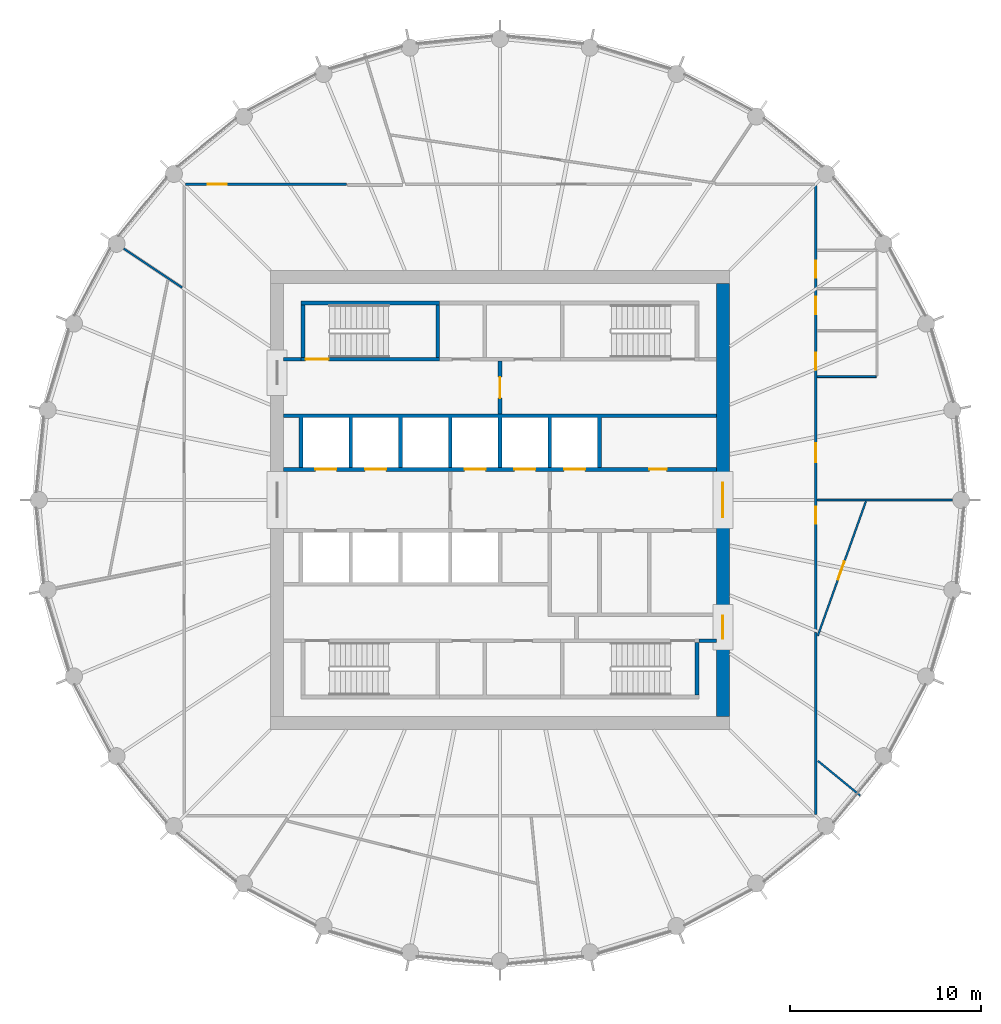
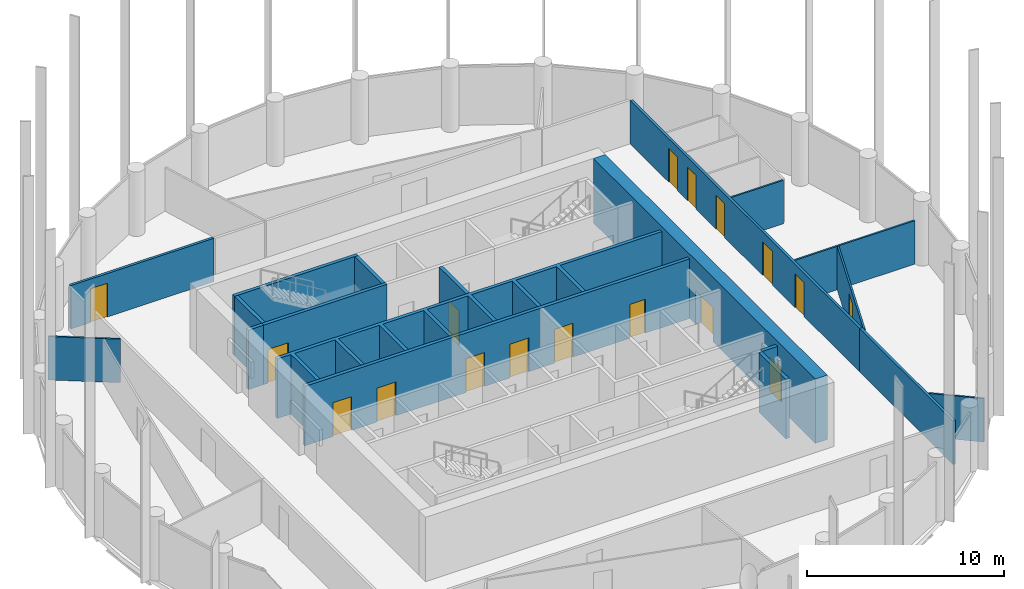
# One storey, part 5 of 7: 19 walls, 17 doors, 17 openings.
"""IFC4 building model written with IfcOpenShell, lengths in metres."""

import ifcopenshell
import ifcopenshell.guid

model = None  # the IFC model being written
_history = None  # IfcOwnerHistory: only IFC2X3 demands one
_inside = {}  # id of a spatial element -> (the spatial element, [elements in it])
_under = {}  # id of a project, library or spatial element -> (it, [spatial elements below it])
_declared = {}  # id of a project -> (the project, [libraries it declares])
_typed = {}  # id of a type object -> (the type object, [elements of that type])
_made_of = {}  # id of a material, layer set ... -> (it, [elements and type objects made of it])


def new_model(schema):
    """Start an empty IFC model of exactly this schema.

    Asked for "IFC4X3", IfcOpenShell would pick the latest addendum, in which some entities
    have other attributes; the version numbers below select the first issue.
    IFC2X3 requires an IfcOwnerHistory on every rooted entity: one is made here for all.
    """
    global model, _history
    if schema == "IFC4X3":
        model = ifcopenshell.file(schema_version=(4, 3, 0, 0))
    else:
        model = ifcopenshell.file(schema=schema)
    _inside.clear()
    _under.clear()
    _declared.clear()
    _typed.clear()
    _made_of.clear()
    _history = None
    if model.schema == "IFC2X3":
        org = make("IfcOrganization", Name="unknown")
        user = make(
            "IfcPersonAndOrganization",
            ThePerson=make("IfcPerson", FamilyName="unknown"),
            TheOrganization=org,
        )
        app = make(
            "IfcApplication",
            ApplicationDeveloper=org,
            Version="unknown",
            ApplicationFullName="unknown",
            ApplicationIdentifier="unknown",
        )
        _history = make(
            "IfcOwnerHistory",
            OwningUser=user,
            OwningApplication=app,
            ChangeAction="ADDED",
            CreationDate=0,
        )
    return model


def make(cls, **values):
    """One entity of the class cls with the attributes given. An attribute that is None is left unset."""
    return model.create_entity(
        cls, **{name: value for name, value in values.items() if value is not None}
    )


def rooted(cls, **values):
    """An entity with a GlobalId (a new one), such as an element, a storey or a relation."""
    return make(cls, GlobalId=ifcopenshell.guid.new(), OwnerHistory=_history, **values)


def si_unit(unit_type, name, prefix=None):
    """IfcSIUnit, for example si_unit("LENGTHUNIT", "METRE", prefix="MILLI")."""
    return make("IfcSIUnit", UnitType=unit_type, Prefix=prefix, Name=name)


def assignment(units):
    """IfcUnitAssignment: the units of a project."""
    return None if units is None else make("IfcUnitAssignment", Units=units)


def point(xyz):
    """IfcCartesianPoint."""
    return None if xyz is None else make("IfcCartesianPoint", Coordinates=xyz)


def direction(xyz):
    """IfcDirection."""
    return None if xyz is None else make("IfcDirection", DirectionRatios=xyz)


def frame(location, z_axis=None, x_axis=None):
    """IfcAxis2Placement3D, a coordinate frame: its origin and axes. An axis left out is left unset."""
    return make(
        "IfcAxis2Placement3D",
        Location=point(location),
        Axis=direction(z_axis),
        RefDirection=direction(x_axis),
    )


def frame_2d(location, x_axis=None):
    """IfcAxis2Placement2D, a coordinate frame in the plane: its origin and x axis."""
    return make(
        "IfcAxis2Placement2D", Location=point(location), RefDirection=direction(x_axis)
    )


def origin():
    """The frame at (0, 0, 0) with its axes left unset."""
    return frame((0.0, 0.0, 0.0))


def place(relative_to, where):
    """IfcLocalPlacement: puts the frame where relative to a parent placement (None: the world)."""
    return make(
        "IfcLocalPlacement", PlacementRelTo=relative_to, RelativePlacement=where
    )


def context(
    kind, dimensions, precision=None, world=None, true_north=None, identifier=None
):
    """IfcGeometricRepresentationContext, for example the 3D "Model" context."""
    return make(
        "IfcGeometricRepresentationContext",
        ContextIdentifier=identifier,
        ContextType=kind,
        CoordinateSpaceDimension=dimensions,
        Precision=precision,
        WorldCoordinateSystem=world,
        TrueNorth=true_north,
    )


def subcontext(parent, identifier, kind, view, scale=None):
    """IfcGeometricRepresentationSubContext, for example "Body" below "Model"."""
    return make(
        "IfcGeometricRepresentationSubContext",
        ContextIdentifier=identifier,
        ContextType=kind,
        ParentContext=parent,
        TargetScale=scale,
        TargetView=view,
    )


def project(units=None, contexts=None):
    """IfcProject with its units and contexts."""
    return rooted(
        "IfcProject",
        Name="project",
        RepresentationContexts=contexts,
        UnitsInContext=assignment(units),
    )


def spatial(cls, under=None, at=None, **own):
    """A site, building, storey or space (cls), placed at a placement, below another one or the project."""
    s = rooted(cls, ObjectPlacement=at, **own)
    if under is not None:
        _under.setdefault(under.id(), (under, []))[1].append(s)
    return s


def polyline(points):
    """IfcPolyline through the points."""
    return make("IfcPolyline", Points=[point(p) for p in points])


def profile(cls, at=None, kind="AREA", **sizes):
    """A parametric profile (cls). Its sizes go by their IFC names, for example OverallWidth=200.0."""
    return make(cls, ProfileType=kind, Position=at, **sizes)


def rectangle(**sizes):
    """IfcRectangleProfileDef."""
    return profile("IfcRectangleProfileDef", **sizes)


def outline(outer, holes=None, kind="AREA"):
    """IfcArbitraryClosedProfileDef: a profile drawn as a closed curve; with holes, ...WithVoids."""
    if holes is None:
        return make("IfcArbitraryClosedProfileDef", ProfileType=kind, OuterCurve=outer)
    return make(
        "IfcArbitraryProfileDefWithVoids",
        ProfileType=kind,
        OuterCurve=outer,
        InnerCurves=holes,
    )


def extrude(swept, where, along, depth):
    """IfcExtrudedAreaSolid: the profile swept, set in the frame where, extruded along a direction by depth."""
    return make(
        "IfcExtrudedAreaSolid",
        SweptArea=swept,
        Position=where,
        ExtrudedDirection=direction(along),
        Depth=depth,
    )


def shape(context_of_items, identifier, shape_type, items):
    """IfcShapeRepresentation: the items that make up one representation, for example the "Body"."""
    return make(
        "IfcShapeRepresentation",
        ContextOfItems=context_of_items,
        RepresentationIdentifier=identifier,
        RepresentationType=shape_type,
        Items=items,
    )


def material(Name=None, Category=None):
    """IfcMaterial."""
    return make("IfcMaterial", Name=Name, Category=Category)


def layer(
    of_material, thickness, ventilated=None, Name=None, Category=None, Priority=None
):
    """IfcMaterialLayer: one layer of a wall or slab, of a material (None: an air gap)."""
    return make(
        "IfcMaterialLayer",
        Material=of_material,
        LayerThickness=thickness,
        IsVentilated=ventilated,
        Name=Name,
        Category=Category,
        Priority=Priority,
    )


def layer_set(layers, Name=None):
    """IfcMaterialLayerSet."""
    return make("IfcMaterialLayerSet", MaterialLayers=layers, LayerSetName=Name)


def made_of(thing, what):
    """Note that an element or type object is made of a material, layer set ...; save() writes the relation."""
    if what is not None:
        _made_of.setdefault(what.id(), (what, []))[1].append(thing)
    return thing


def type_object(cls, material=None, **own):
    """A type object (cls), such as IfcWallType, which elements share."""
    return made_of(rooted(cls, **own), material)


def element(
    cls,
    number,
    at=None,
    inside=None,
    cuts=None,
    type_object=None,
    material=None,
    context=None,
    identifier="Body",
    shape_type=None,
    held_by="IfcProductDefinitionShape",
    body=None,
    shapes=None,
    **own,
):
    """One element of the class cls, such as IfcWall. Its Tag is "e" and its number.

    at: its placement. inside: the storey or other place that contains it. cuts: it is an
    opening in that element (IfcRelVoidsElement). A single representation is given by context,
    identifier, shape_type and body (its items); several are given by shapes. held_by: the class
    of the entity that holds the representations. save() writes the other relations.
    """
    e = rooted(cls, Tag="e%d" % number, ObjectPlacement=at, **own)
    if body is not None:
        shapes = [shape(context, identifier, shape_type, body)]
    if shapes is not None:
        e.Representation = make(held_by, Representations=shapes)
    if inside is not None:
        _inside.setdefault(inside.id(), (inside, []))[1].append(e)
    if cuts is not None:
        rooted(
            "IfcRelVoidsElement", RelatingBuildingElement=cuts, RelatedOpeningElement=e
        )
    if type_object is not None:
        _typed.setdefault(type_object.id(), (type_object, []))[1].append(e)
    return made_of(e, material)


def fill(opening, filler):
    """IfcRelFillsElement: the door or window that sits in an opening."""
    return rooted(
        "IfcRelFillsElement",
        RelatingOpeningElement=opening,
        RelatedBuildingElement=filler,
    )


def aggregate(whole, parts):
    """IfcRelAggregates: a whole, such as a stair, and the parts it consists of."""
    return rooted("IfcRelAggregates", RelatingObject=whole, RelatedObjects=parts)


def save(model, path):
    """Write the relations noted so far, then the file.

    IfcRelAggregates (storeys below a building ...), IfcRelContainedInSpatialStructure (elements
    in a storey), IfcRelDefinesByType, IfcRelAssociatesMaterial and IfcRelDeclares: one each for
    every whole, place, type object, material and project.
    """
    for whole, parts in _under.values():
        aggregate(whole, parts)
    for where, things in _inside.values():
        rooted(
            "IfcRelContainedInSpatialStructure",
            RelatedElements=things,
            RelatingStructure=where,
        )
    for kind, things in _typed.values():
        rooted("IfcRelDefinesByType", RelatedObjects=things, RelatingType=kind)
    for what, things in _made_of.values():
        rooted("IfcRelAssociatesMaterial", RelatedObjects=things, RelatingMaterial=what)
    for by, libraries in _declared.values():
        rooted("IfcRelDeclares", RelatingContext=by, RelatedDefinitions=libraries)
    model.write(path)


model = new_model("IFC4")

# Units and contexts
model_context = context("Model", 3, precision=1e-05, world=origin(), true_north=direction((0.0, 1.0)))
body_context = subcontext(model_context, "Body", "Model", "MODEL_VIEW")
ifc_project = project(units=[si_unit("LENGTHUNIT", "METRE"), si_unit("AREAUNIT", "SQUARE_METRE"), si_unit("VOLUMEUNIT", "CUBIC_METRE"), si_unit("PLANEANGLEUNIT", "RADIAN"), si_unit("MASSUNIT", "GRAM", prefix="KILO")], contexts=[model_context])

# Site, building, storey
site_placement = place(None, origin())
site = spatial("IfcSite", under=ifc_project, at=site_placement, CompositionType="ELEMENT")
building_placement = place(site_placement, origin())
building = spatial("IfcBuilding", under=site, at=building_placement, Name="Corvane Civic Tower", CompositionType="ELEMENT")
storey_placement = place(building_placement, frame((0.0, 0.0, 295.0)))
storey = spatial("IfcBuildingStorey", under=building, at=storey_placement, Name="L70", CompositionType="ELEMENT", Elevation=295.0)

# Wall, openings, doors
ifc_material_1 = material(Name="Concrete C40/50", Category="concrete")
ifc_layer_1 = layer(ifc_material_1, 0.699951171875)
ifc_layer_set_1 = layer_set([ifc_layer_1], Name="Concrete C40/50")
wall_type_1 = type_object("IfcWallType", Name="CORE WALL 700 C40/50", PredefinedType="SHEAR", material=ifc_layer_set_1)
wall_1_placement = place(storey_placement, frame((11.64990234375, -11.300048828125, 0.0), z_axis=(0.0, 0.0, 1.0), x_axis=(0.0, 1.0, 0.0)))
wall_1 = element("IfcWall", 1, at=wall_1_placement, inside=storey, type_object=wall_type_1, Name="W-L70-core-E", PredefinedType="SHEAR", context=body_context, shape_type="SweptSolid", body=[
    extrude(rectangle(XDim=22.60009765625, YDim=0.699951171875, at=frame_2d((11.300048828125, 0.0))), origin(), (0.0, 0.0, 1.0), 4.0),
])
opening_1_placement = place(wall_1_placement, frame((10.39990234375, 0.0, 0.0)))
opening_1 = element("IfcOpeningElement", 2, at=opening_1_placement, cuts=wall_1, Name="Opening L70.C18", PredefinedType="OPENING", context=body_context, shape_type="SweptSolid", body=[
    extrude(rectangle(XDim=1.800048828125, YDim=2.10009765625, at=frame_2d((0.89990234375, 1.050048828125))), frame((0.0, 0.35986328125, 0.0), z_axis=(0.0, -1.0, 0.0), x_axis=(1.0, 0.0, 0.0)), (0.0, 0.0, 1.0), 0.719970703125),
])
opening_2_placement = place(wall_1_placement, frame((4.050048828125, 0.0, 0.0)))
opening_2 = element("IfcOpeningElement", 3, at=opening_2_placement, cuts=wall_1, Name="Opening L70.C20", PredefinedType="OPENING", context=body_context, shape_type="SweptSolid", body=[
    extrude(rectangle(XDim=1.199951171875, YDim=2.10009765625, at=frame_2d((0.60009765625, 1.050048828125))), frame((0.0, 0.35986328125, 0.0), z_axis=(0.0, -1.0, 0.0), x_axis=(1.0, 0.0, 0.0)), (0.0, 0.0, 1.0), 0.719970703125),
])
ifc_material_2 = material(Name="Steel fire door leaf", Category="steel")
door_type_1 = type_object("IfcDoorType", Name="CR-DOOR-CORE-1800", OperationType="DOUBLE_DOOR_SINGLE_SWING", PredefinedType="DOOR", material=ifc_material_2)
door_1_placement = place(opening_1_placement, origin())
door_1 = element("IfcDoor", 4, at=door_1_placement, inside=storey, type_object=door_type_1, Name="L70 door", OperationType="DOUBLE_DOOR_SINGLE_SWING", OverallHeight=2.10009765625, OverallWidth=1.800048828125, PredefinedType="DOOR", context=body_context, shape_type="SweptSolid", body=[
    extrude(rectangle(XDim=1.800048828125, YDim=2.10009765625, at=frame_2d((0.89990234375, 1.050048828125))), frame((0.0, 0.02490234375, 0.0), z_axis=(0.0, -1.0, 0.0), x_axis=(1.0, 0.0, 0.0)), (0.0, 0.0, 1.0), 0.050048828125),
])
fill(opening_1, door_1)
door_2_placement = place(opening_2_placement, origin())
door_2 = element("IfcDoor", 5, at=door_2_placement, inside=storey, type_object=door_type_1, Name="L70 door", OperationType="DOUBLE_DOOR_SINGLE_SWING", OverallHeight=2.10009765625, OverallWidth=1.199951171875, PredefinedType="DOOR", context=body_context, shape_type="SweptSolid", body=[
    extrude(rectangle(XDim=1.199951171875, YDim=2.10009765625, at=frame_2d((0.60009765625, 1.050048828125))), frame((0.0, 0.02490234375, 0.0), z_axis=(0.0, -1.0, 0.0), x_axis=(1.0, 0.0, 0.0)), (0.0, 0.0, 1.0), 0.050048828125),
])
fill(opening_2, door_2)

ifc_material_3 = material(Name="Concrete C30/37", Category="concrete")
ifc_layer_2 = layer(ifc_material_3, 0.199951171875)
ifc_layer_set_2 = layer_set([ifc_layer_2], Name="Concrete C30/37")
wall_type_2 = type_object("IfcWallType", Name="CR-WALL-200", PredefinedType="PARTITIONING", material=ifc_layer_set_2)
wall_2_placement = place(storey_placement, frame((-11.300048828125, 1.60009765625, 0.0), z_axis=(0.0, 0.0, 1.0), x_axis=(1.0, 0.0, 0.0)))
wall_2 = element("IfcWall", 6, at=wall_2_placement, inside=storey, type_object=wall_type_2, Name="L70 lift shaft wall", PredefinedType="PARTITIONING", context=body_context, shape_type="SweptSolid", body=[
    extrude(rectangle(XDim=22.60009765625, YDim=0.199951171875, at=frame_2d((11.300048828125, 0.0))), origin(), (0.0, 0.0, 1.0), 3.699951171875),
])
opening_3_placement = place(wall_2_placement, frame((1.64990234375, 0.0, 0.0)))
opening_3 = element("IfcOpeningElement", 7, at=opening_3_placement, cuts=wall_2, Name="Opening LD", PredefinedType="OPENING", context=body_context, shape_type="SweptSolid", body=[
    extrude(rectangle(XDim=1.10009765625, YDim=2.10009765625, at=frame_2d((0.550048828125, 1.050048828125))), frame((0.0, 0.10986328125, 0.0), z_axis=(0.0, -1.0, 0.0), x_axis=(1.0, 0.0, 0.0)), (0.0, 0.0, 1.0), 0.219970703125),
])
opening_4_placement = place(wall_2_placement, frame((4.25, 0.0, 0.0)))
opening_4 = element("IfcOpeningElement", 8, at=opening_4_placement, cuts=wall_2, Name="Opening LD", PredefinedType="OPENING", context=body_context, shape_type="SweptSolid", body=[
    extrude(rectangle(XDim=1.10009765625, YDim=2.10009765625, at=frame_2d((0.550048828125, 1.050048828125))), frame((0.0, 0.10986328125, 0.0), z_axis=(0.0, -1.0, 0.0), x_axis=(1.0, 0.0, 0.0)), (0.0, 0.0, 1.0), 0.219970703125),
])
opening_5_placement = place(wall_2_placement, frame((9.449951171875, 0.0, 0.0)))
opening_5 = element("IfcOpeningElement", 9, at=opening_5_placement, cuts=wall_2, Name="Opening LD", PredefinedType="OPENING", context=body_context, shape_type="SweptSolid", body=[
    extrude(rectangle(XDim=1.10009765625, YDim=2.10009765625, at=frame_2d((0.550048828125, 1.050048828125))), frame((0.0, 0.10986328125, 0.0), z_axis=(0.0, -1.0, 0.0), x_axis=(1.0, 0.0, 0.0)), (0.0, 0.0, 1.0), 0.219970703125),
])
opening_6_placement = place(wall_2_placement, frame((12.050048828125, 0.0, 0.0)))
opening_6 = element("IfcOpeningElement", 10, at=opening_6_placement, cuts=wall_2, Name="Opening LD", PredefinedType="OPENING", context=body_context, shape_type="SweptSolid", body=[
    extrude(rectangle(XDim=1.10009765625, YDim=2.10009765625, at=frame_2d((0.550048828125, 1.050048828125))), frame((0.0, 0.10986328125, 0.0), z_axis=(0.0, -1.0, 0.0), x_axis=(1.0, 0.0, 0.0)), (0.0, 0.0, 1.0), 0.219970703125),
])
opening_7_placement = place(wall_2_placement, frame((14.64990234375, 0.0, 0.0)))
opening_7 = element("IfcOpeningElement", 11, at=opening_7_placement, cuts=wall_2, Name="Opening LD", PredefinedType="OPENING", context=body_context, shape_type="SweptSolid", body=[
    extrude(rectangle(XDim=1.10009765625, YDim=2.10009765625, at=frame_2d((0.550048828125, 1.050048828125))), frame((0.0, 0.10986328125, 0.0), z_axis=(0.0, -1.0, 0.0), x_axis=(1.0, 0.0, 0.0)), (0.0, 0.0, 1.0), 0.219970703125),
])
opening_8_placement = place(wall_2_placement, frame((19.10009765625, 0.0, 0.0)))
opening_8 = element("IfcOpeningElement", 12, at=opening_8_placement, cuts=wall_2, Name="Opening L70.C01", PredefinedType="OPENING", context=body_context, shape_type="SweptSolid", body=[
    extrude(rectangle(XDim=0.89990234375, YDim=2.10009765625, at=frame_2d((0.449951171875, 1.050048828125))), frame((0.0, 0.10986328125, 0.0), z_axis=(0.0, -1.0, 0.0), x_axis=(1.0, 0.0, 0.0)), (0.0, 0.0, 1.0), 0.219970703125),
])
ifc_material_4 = material(Name="Steel fire door leaf", Category="steel")
door_type_2 = type_object("IfcDoorType", Name="CR-DOOR-900", OperationType="SINGLE_SWING_LEFT", PredefinedType="DOOR", material=ifc_material_4)
door_3_placement = place(opening_8_placement, origin())
door_3 = element("IfcDoor", 13, at=door_3_placement, inside=storey, type_object=door_type_2, Name="L70 door", OperationType="SINGLE_SWING_LEFT", OverallHeight=2.10009765625, OverallWidth=0.89990234375, PredefinedType="DOOR", context=body_context, shape_type="SweptSolid", body=[
    extrude(rectangle(XDim=0.89990234375, YDim=2.10009765625, at=frame_2d((0.449951171875, 1.050048828125))), frame((0.0, 0.02490234375, 0.0), z_axis=(0.0, -1.0, 0.0), x_axis=(1.0, 0.0, 0.0)), (0.0, 0.0, 1.0), 0.050048828125),
])
fill(opening_8, door_3)
ifc_material_5 = material(Name="Stainless steel 316 door leaves", Category="steel")
door_type_3 = type_object("IfcDoorType", Name="LD", OperationType="DOUBLE_DOOR_SLIDING", PredefinedType="DOOR", material=ifc_material_5)
door_4_placement = place(opening_3_placement, origin())
door_4 = element("IfcDoor", 14, at=door_4_placement, inside=storey, type_object=door_type_3, Name="L70 landing door", OperationType="DOUBLE_DOOR_SLIDING", OverallHeight=2.10009765625, OverallWidth=1.10009765625, PredefinedType="DOOR", context=body_context, shape_type="SweptSolid", body=[
    extrude(rectangle(XDim=1.10009765625, YDim=2.10009765625, at=frame_2d((0.550048828125, 1.050048828125))), frame((0.0, 0.02490234375, 0.0), z_axis=(0.0, -1.0, 0.0), x_axis=(1.0, 0.0, 0.0)), (0.0, 0.0, 1.0), 0.050048828125),
])
fill(opening_3, door_4)
door_5_placement = place(opening_4_placement, origin())
door_5 = element("IfcDoor", 15, at=door_5_placement, inside=storey, type_object=door_type_3, Name="L70 landing door", OperationType="DOUBLE_DOOR_SLIDING", OverallHeight=2.10009765625, OverallWidth=1.10009765625, PredefinedType="DOOR", context=body_context, shape_type="SweptSolid", body=[
    extrude(rectangle(XDim=1.10009765625, YDim=2.10009765625, at=frame_2d((0.550048828125, 1.050048828125))), frame((0.0, 0.02490234375, 0.0), z_axis=(0.0, -1.0, 0.0), x_axis=(1.0, 0.0, 0.0)), (0.0, 0.0, 1.0), 0.050048828125),
])
fill(opening_4, door_5)
door_6_placement = place(opening_5_placement, origin())
door_6 = element("IfcDoor", 16, at=door_6_placement, inside=storey, type_object=door_type_3, Name="L70 landing door", OperationType="DOUBLE_DOOR_SLIDING", OverallHeight=2.10009765625, OverallWidth=1.10009765625, PredefinedType="DOOR", context=body_context, shape_type="SweptSolid", body=[
    extrude(rectangle(XDim=1.10009765625, YDim=2.10009765625, at=frame_2d((0.550048828125, 1.050048828125))), frame((0.0, 0.02490234375, 0.0), z_axis=(0.0, -1.0, 0.0), x_axis=(1.0, 0.0, 0.0)), (0.0, 0.0, 1.0), 0.050048828125),
])
fill(opening_5, door_6)
door_7_placement = place(opening_6_placement, origin())
door_7 = element("IfcDoor", 17, at=door_7_placement, inside=storey, type_object=door_type_3, Name="L70 landing door", OperationType="DOUBLE_DOOR_SLIDING", OverallHeight=2.10009765625, OverallWidth=1.10009765625, PredefinedType="DOOR", context=body_context, shape_type="SweptSolid", body=[
    extrude(rectangle(XDim=1.10009765625, YDim=2.10009765625, at=frame_2d((0.550048828125, 1.050048828125))), frame((0.0, 0.02490234375, 0.0), z_axis=(0.0, -1.0, 0.0), x_axis=(1.0, 0.0, 0.0)), (0.0, 0.0, 1.0), 0.050048828125),
])
fill(opening_6, door_7)
door_8_placement = place(opening_7_placement, origin())
door_8 = element("IfcDoor", 18, at=door_8_placement, inside=storey, type_object=door_type_3, Name="L70 landing door", OperationType="DOUBLE_DOOR_SLIDING", OverallHeight=2.10009765625, OverallWidth=1.10009765625, PredefinedType="DOOR", context=body_context, shape_type="SweptSolid", body=[
    extrude(rectangle(XDim=1.10009765625, YDim=2.10009765625, at=frame_2d((0.550048828125, 1.050048828125))), frame((0.0, 0.02490234375, 0.0), z_axis=(0.0, -1.0, 0.0), x_axis=(1.0, 0.0, 0.0)), (0.0, 0.0, 1.0), 0.050048828125),
])
fill(opening_7, door_8)

# Wall, opening, door
wall_3_placement = place(storey_placement, frame((0.0, 4.5, 0.0), z_axis=(0.0, 0.0, 1.0), x_axis=(0.0, 1.0, 0.0)))
wall_3 = element("IfcWall", 19, at=wall_3_placement, inside=storey, type_object=wall_type_2, Name="L70 core partition wall", PredefinedType="PARTITIONING", context=body_context, shape_type="SweptSolid", body=[
    extrude(rectangle(XDim=2.75, YDim=0.199951171875, at=frame_2d((1.375, 0.0))), origin(), (0.0, 0.0, 1.0), 3.699951171875),
])
opening_9_placement = place(wall_3_placement, frame((0.824951171875, 0.0, 0.0)))
opening_9 = element("IfcOpeningElement", 20, at=opening_9_placement, cuts=wall_3, Name="Opening L70.C16", PredefinedType="OPENING", context=body_context, shape_type="SweptSolid", body=[
    extrude(rectangle(XDim=1.10009765625, YDim=2.10009765625, at=frame_2d((0.550048828125, 1.050048828125))), frame((0.0, 0.10986328125, 0.0), z_axis=(0.0, -1.0, 0.0), x_axis=(1.0, 0.0, 0.0)), (0.0, 0.0, 1.0), 0.219970703125),
])
ifc_material_6 = material(Name="Steel fire door leaf", Category="steel")
door_type_4 = type_object("IfcDoorType", Name="CR-DOOR-FFL-1100", OperationType="SINGLE_SWING_LEFT", PredefinedType="DOOR", material=ifc_material_6)
door_9_placement = place(opening_9_placement, origin())
door_9 = element("IfcDoor", 21, at=door_9_placement, inside=storey, type_object=door_type_4, Name="L70 lobby door", OperationType="SINGLE_SWING_LEFT", OverallHeight=2.10009765625, OverallWidth=1.10009765625, PredefinedType="DOOR", context=body_context, shape_type="SweptSolid", body=[
    extrude(rectangle(XDim=1.10009765625, YDim=2.10009765625, at=frame_2d((0.550048828125, 1.050048828125))), frame((0.0, 0.02490234375, 0.0), z_axis=(0.0, -1.0, 0.0), x_axis=(1.0, 0.0, 0.0)), (0.0, 0.0, 1.0), 0.050048828125),
])
fill(opening_9, door_9)

# Walls
wall_4_placement = place(storey_placement, origin())
element("IfcWall", 22, at=wall_4_placement, inside=storey, type_object=wall_type_2, Name="L70 core partition wall", PredefinedType="PARTITIONING", context=body_context, shape_type="SweptSolid", body=[
    extrude(outline(polyline([(-10.39990234375, 7.25), (-11.300048828125, 7.25), (-11.300048828125, 7.449951171875), (-10.39990234375, 7.449951171875), (-10.39990234375, 7.25)])), origin(), (0.0, 0.0, 1.0), 3.699951171875),
])
wall_5_placement = place(storey_placement, origin())
element("IfcWall", 23, at=wall_5_placement, inside=storey, type_object=wall_type_2, Name="L70 core partition wall", PredefinedType="PARTITIONING", context=body_context, shape_type="SweptSolid", body=[
    extrude(outline(polyline([(0.10009765625, 1.699951171875), (-0.10009765625, 1.699951171875), (-0.10009765625, 4.300048828125), (-2.5, 4.300048828125), (-2.5, 1.699951171875), (-2.699951171875, 1.699951171875), (-2.699951171875, 4.300048828125), (-5.10009765625, 4.300048828125), (-5.10009765625, 1.699951171875), (-5.300048828125, 1.699951171875), (-5.300048828125, 4.300048828125), (-7.699951171875, 4.300048828125), (-7.699951171875, 1.699951171875), (-7.89990234375, 1.699951171875), (-7.89990234375, 4.300048828125), (-10.300048828125, 4.300048828125), (-10.300048828125, 1.699951171875), (-10.5, 1.699951171875), (-10.5, 4.300048828125), (-11.300048828125, 4.300048828125), (-11.300048828125, 4.5), (11.300048828125, 4.5), (11.300048828125, 4.300048828125), (5.300048828125, 4.300048828125), (5.300048828125, 1.699951171875), (5.10009765625, 1.699951171875), (5.10009765625, 4.300048828125), (2.699951171875, 4.300048828125), (2.699951171875, 1.699951171875), (2.5, 1.699951171875), (2.5, 4.300048828125), (0.10009765625, 4.300048828125), (0.10009765625, 1.699951171875)])), origin(), (0.0, 0.0, 1.0), 3.699951171875),
])
wall_6_placement = place(storey_placement, origin())
element("IfcWall", 24, at=wall_6_placement, inside=storey, type_object=wall_type_2, Name="L70 core partition wall", PredefinedType="PARTITIONING", context=body_context, shape_type="SweptSolid", body=[
    extrude(outline(polyline([(11.300048828125, -7.449951171875), (10.39990234375, -7.449951171875), (10.39990234375, -7.25), (11.300048828125, -7.25), (11.300048828125, -7.449951171875)])), origin(), (0.0, 0.0, 1.0), 3.699951171875),
])
ifc_material_7 = material(Name="Plasterboard")
ifc_layer_3 = layer(ifc_material_7, 0.10009765625)
ifc_layer_set_3 = layer_set([ifc_layer_3], Name="Plasterboard")
wall_type_3 = type_object("IfcWallType", Name="Partition 100 plasterboard on studs", PredefinedType="PARTITIONING", material=ifc_layer_set_3)
wall_7_placement = place(storey_placement, frame((16.606689453125, -13.62890625, 0.0), z_axis=(0.0, 0.0, 1.0), x_axis=(0.773057309147, -0.634336185926, 0.0)))
element("IfcWall", 25, at=wall_7_placement, inside=storey, type_object=wall_type_3, Name="Partition L70.007", PredefinedType="PARTITIONING", context=body_context, shape_type="SweptSolid", body=[
    extrude(rectangle(XDim=2.866943359375, YDim=0.10009765625, at=frame_2d((1.43359375, 0.0))), origin(), (0.0, 0.0, 1.0), 2.699951171875),
])

# Wall, opening, door
wall_8_placement = place(storey_placement, frame((16.605224609375, -7.09521484375, 0.0), z_axis=(0.0, 0.0, 1.0), x_axis=(0.336904028369, 0.941538993175, 0.0)))
wall_8 = element("IfcWall", 26, at=wall_8_placement, inside=storey, type_object=wall_type_3, Name="Partition L70.008", PredefinedType="PARTITIONING", context=body_context, shape_type="SweptSolid", body=[
    extrude(rectangle(XDim=7.464599609375, YDim=0.10009765625, at=frame_2d((3.732421875, 0.0))), origin(), (0.0, 0.0, 1.0), 2.699951171875),
])
opening_10_placement = place(wall_8_placement, frame((3.12890625, 0.0, 0.0)))
opening_10 = element("IfcOpeningElement", 27, at=opening_10_placement, cuts=wall_8, Name="Opening L70.005", PredefinedType="OPENING", context=body_context, shape_type="SweptSolid", body=[
    extrude(rectangle(XDim=1.0, YDim=2.10009765625, at=frame_2d((0.5, 1.050048828125))), frame((0.0, 0.06005859375, 0.0), z_axis=(0.0, -1.0, 0.0), x_axis=(1.0, 0.0, 0.0)), (0.0, 0.0, 1.0), 0.1201171875),
])
ifc_material_8 = material(Name="Timber", Category="wood")
door_type_5 = type_object("IfcDoorType", Name="Single door 1000", OperationType="NOTDEFINED", PredefinedType="DOOR", material=ifc_material_8)
door_10_placement = place(opening_10_placement, frame((1.0, 0.0, 0.0), z_axis=(0.0, 0.0, 1.0), x_axis=(-1.0, 0.0, 0.0)))
door_10 = element("IfcDoor", 28, at=door_10_placement, inside=storey, type_object=door_type_5, Name="Door L70.005", OperationType="SINGLE_SWING_LEFT", OverallHeight=2.10009765625, OverallWidth=1.0, PredefinedType="DOOR", context=body_context, shape_type="SweptSolid", body=[
    extrude(rectangle(XDim=1.0, YDim=2.10009765625, at=frame_2d((0.5, 1.050048828125))), frame((0.0, 0.02490234375, 0.0), z_axis=(0.0, -1.0, 0.0), x_axis=(1.0, 0.0, 0.0)), (0.0, 0.0, 1.0), 0.050048828125),
])
fill(opening_10, door_10)

# Walls
wall_9_placement = place(storey_placement, frame((16.574951171875, 0.0, 0.0), z_axis=(0.0, 0.0, 1.0), x_axis=(1.0, 0.0, 0.0)))
element("IfcWall", 29, at=wall_9_placement, inside=storey, type_object=wall_type_3, Name="Partition L70.013", PredefinedType="PARTITIONING", context=body_context, shape_type="SweptSolid", body=[
    extrude(rectangle(XDim=7.065185546875, YDim=0.10009765625, at=frame_2d((3.53271484375, 0.0))), origin(), (0.0, 0.0, 1.0), 2.699951171875),
])
wall_10_placement = place(storey_placement, frame((16.574951171875, 6.445068359375, 0.0), z_axis=(0.0, 0.0, 1.0), x_axis=(1.0, 0.0, 0.0)))
element("IfcWall", 30, at=wall_10_placement, inside=storey, type_object=wall_type_3, Name="Partition L70.014", PredefinedType="PARTITIONING", context=body_context, shape_type="SweptSolid", body=[
    extrude(rectangle(XDim=3.074951171875, YDim=0.10009765625, at=frame_2d((1.53759765625, 0.0))), origin(), (0.0, 0.0, 1.0), 2.699951171875),
])
wall_11_placement = place(storey_placement, frame((-19.656005859375, 13.133544921875, 0.0), z_axis=(0.0, 0.0, 1.0), x_axis=(0.831477046095, -0.555559107402, 0.0)))
element("IfcWall", 31, at=wall_11_placement, inside=storey, type_object=wall_type_3, Name="Partition L70.018", PredefinedType="PARTITIONING", context=body_context, shape_type="SweptSolid", body=[
    extrude(rectangle(XDim=3.672119140625, YDim=0.10009765625, at=frame_2d((1.8359375, 0.0))), origin(), (0.0, 0.0, 1.0), 2.699951171875),
])

# Wall, opening, door
ifc_material_9 = material(Name="Concrete C50/60", Category="concrete")
ifc_layer_4 = layer(ifc_material_9, 0.199951171875)
ifc_layer_set_4 = layer_set([ifc_layer_4], Name="Concrete C50/60")
wall_type_4 = type_object("IfcWallType", Name="ST-WALL-200", PredefinedType="SHEAR", material=ifc_layer_set_4)
wall_12_placement = place(storey_placement, frame((-10.39990234375, 7.35009765625, 0.0), z_axis=(0.0, 0.0, 1.0), x_axis=(1.0, 0.0, 0.0)))
wall_12 = element("IfcWall", 32, at=wall_12_placement, inside=storey, type_object=wall_type_4, Name="L70 stair enclosure wall", PredefinedType="SHEAR", context=body_context, shape_type="SweptSolid", body=[
    extrude(rectangle(XDim=7.25, YDim=0.199951171875, at=frame_2d((3.625, 0.0))), origin(), (0.0, 0.0, 1.0), 3.699951171875),
])
opening_11_placement = place(wall_12_placement, frame((0.25, 0.0, 0.0)))
opening_11 = element("IfcOpeningElement", 33, at=opening_11_placement, cuts=wall_12, Name="Opening L70.C11", PredefinedType="OPENING", context=body_context, shape_type="SweptSolid", body=[
    extrude(rectangle(XDim=1.199951171875, YDim=2.10009765625, at=frame_2d((0.60009765625, 1.050048828125))), frame((0.0, 0.10986328125, 0.0), z_axis=(0.0, -1.0, 0.0), x_axis=(1.0, 0.0, 0.0)), (0.0, 0.0, 1.0), 0.219970703125),
])
ifc_material_10 = material(Name="Steel fire door leaf", Category="steel")
door_type_6 = type_object("IfcDoorType", Name="ST-DOOR-1200", OperationType="SINGLE_SWING_RIGHT", PredefinedType="DOOR", material=ifc_material_10)
door_11_placement = place(opening_11_placement, origin())
door_11 = element("IfcDoor", 34, at=door_11_placement, inside=storey, type_object=door_type_6, Name="L70 stair door", OperationType="SINGLE_SWING_RIGHT", OverallHeight=2.10009765625, OverallWidth=1.199951171875, PredefinedType="DOOR", context=body_context, shape_type="SweptSolid", body=[
    extrude(rectangle(XDim=1.199951171875, YDim=2.10009765625, at=frame_2d((0.60009765625, 1.050048828125))), frame((0.0, 0.02490234375, 0.0), z_axis=(0.0, -1.0, 0.0), x_axis=(1.0, 0.0, 0.0)), (0.0, 0.0, 1.0), 0.050048828125),
])
fill(opening_11, door_11)

# Walls
wall_13_placement = place(storey_placement, origin())
element("IfcWall", 35, at=wall_13_placement, inside=storey, type_object=wall_type_4, Name="L70 stair enclosure wall", PredefinedType="SHEAR", context=body_context, shape_type="SweptSolid", body=[
    extrude(outline(polyline([(-3.14990234375, 10.199951171875), (-10.39990234375, 10.199951171875), (-10.39990234375, 10.39990234375), (-3.14990234375, 10.39990234375), (-3.14990234375, 10.199951171875)])), origin(), (0.0, 0.0, 1.0), 3.699951171875),
])
wall_14_placement = place(storey_placement, origin())
element("IfcWall", 36, at=wall_14_placement, inside=storey, type_object=wall_type_4, Name="L70 stair enclosure wall", PredefinedType="SHEAR", context=body_context, shape_type="SweptSolid", body=[
    extrude(outline(polyline([(-3.14990234375, 7.449951171875), (-3.35009765625, 7.449951171875), (-3.35009765625, 10.199951171875), (-3.14990234375, 10.199951171875), (-3.14990234375, 7.449951171875)])), origin(), (0.0, 0.0, 1.0), 3.699951171875),
])
wall_15_placement = place(storey_placement, origin())
element("IfcWall", 37, at=wall_15_placement, inside=storey, type_object=wall_type_4, Name="L70 stair enclosure wall", PredefinedType="SHEAR", context=body_context, shape_type="SweptSolid", body=[
    extrude(outline(polyline([(-10.199951171875, 7.449951171875), (-10.39990234375, 7.449951171875), (-10.39990234375, 10.199951171875), (-10.199951171875, 10.199951171875), (-10.199951171875, 7.449951171875)])), origin(), (0.0, 0.0, 1.0), 3.699951171875),
])
wall_16_placement = place(storey_placement, origin())
element("IfcWall", 38, at=wall_16_placement, inside=storey, type_object=wall_type_4, Name="L70 stair enclosure wall", PredefinedType="SHEAR", context=body_context, shape_type="SweptSolid", body=[
    extrude(outline(polyline([(10.39990234375, -7.449951171875), (10.39990234375, -10.199951171875), (10.199951171875, -10.199951171875), (10.199951171875, -7.449951171875), (10.39990234375, -7.449951171875)])), origin(), (0.0, 0.0, 1.0), 3.699951171875),
])
ifc_material_11 = material(Name="Plasterboard")
ifc_layer_5 = layer(ifc_material_11, 0.14990234375)
ifc_layer_set_5 = layer_set([ifc_layer_5], Name="Plasterboard")
wall_type_5 = type_object("IfcWallType", Name="Tenancy wall 150 EI 60", PredefinedType="PARTITIONING", material=ifc_layer_set_5)
wall_17_placement = place(storey_placement, frame((16.5, -16.425048828125, 0.0), z_axis=(0.0, 0.0, 1.0), x_axis=(0.0, 1.0, 0.0)))
element("IfcWall", 39, at=wall_17_placement, inside=storey, type_object=wall_type_5, Name="Partition L70.006", PredefinedType="PARTITIONING", context=body_context, shape_type="SweptSolid", body=[
    extrude(rectangle(XDim=9.50244140625, YDim=0.14990234375, at=frame_2d((4.751220703125, 0.0))), origin(), (0.0, 0.0, 1.0), 2.699951171875),
])

# Wall, openings, doors
wall_18_placement = place(storey_placement, frame((16.5, -6.922607421875, 0.0), z_axis=(0.0, 0.0, 1.0), x_axis=(0.0, 1.0, 0.0)))
wall_18 = element("IfcWall", 40, at=wall_18_placement, inside=storey, type_object=wall_type_5, Name="Partition L70.009", PredefinedType="PARTITIONING", context=body_context, shape_type="SweptSolid", body=[
    extrude(rectangle(XDim=23.34765625, YDim=0.14990234375, at=frame_2d((11.673828125, 0.0))), origin(), (0.0, 0.0, 1.0), 2.699951171875),
])
opening_12_placement = place(wall_18_placement, frame((8.89111328125, 0.0, 0.0)))
opening_12 = element("IfcOpeningElement", 41, at=opening_12_placement, cuts=wall_18, Name="Opening L70.001", PredefinedType="OPENING", context=body_context, shape_type="SweptSolid", body=[
    extrude(rectangle(XDim=1.0, YDim=2.10009765625, at=frame_2d((0.5, 1.050048828125))), frame((0.0, 0.0849609375, 0.0), z_axis=(0.0, -1.0, 0.0), x_axis=(1.0, 0.0, 0.0)), (0.0, 0.0, 1.0), 0.169921875),
])
opening_13_placement = place(wall_18_placement, frame((13.7255859375, 0.0, 0.0)))
opening_13 = element("IfcOpeningElement", 42, at=opening_13_placement, cuts=wall_18, Name="Opening L70.002", PredefinedType="OPENING", context=body_context, shape_type="SweptSolid", body=[
    extrude(rectangle(XDim=0.89990234375, YDim=2.10009765625, at=frame_2d((0.449951171875, 1.050048828125))), frame((0.0, 0.0849609375, 0.0), z_axis=(0.0, -1.0, 0.0), x_axis=(1.0, 0.0, 0.0)), (0.0, 0.0, 1.0), 0.169921875),
])
opening_14_placement = place(wall_18_placement, frame((16.6357421875, 0.0, 0.0)))
opening_14 = element("IfcOpeningElement", 43, at=opening_14_placement, cuts=wall_18, Name="Opening L70.003", PredefinedType="OPENING", context=body_context, shape_type="SweptSolid", body=[
    extrude(rectangle(XDim=0.89990234375, YDim=2.10009765625, at=frame_2d((0.449951171875, 1.050048828125))), frame((0.0, 0.0849609375, 0.0), z_axis=(0.0, -1.0, 0.0), x_axis=(1.0, 0.0, 0.0)), (0.0, 0.0, 1.0), 0.169921875),
])
opening_15_placement = place(wall_18_placement, frame((18.5341796875, 0.0, 0.0)))
opening_15 = element("IfcOpeningElement", 44, at=opening_15_placement, cuts=wall_18, Name="Opening L70.004", PredefinedType="OPENING", context=body_context, shape_type="SweptSolid", body=[
    extrude(rectangle(XDim=0.89990234375, YDim=2.10009765625, at=frame_2d((0.449951171875, 1.050048828125))), frame((0.0, 0.0849609375, 0.0), z_axis=(0.0, -1.0, 0.0), x_axis=(1.0, 0.0, 0.0)), (0.0, 0.0, 1.0), 0.169921875),
])
opening_16_placement = place(wall_18_placement, frame((5.673828125, 0.0, 0.0)))
opening_16 = element("IfcOpeningElement", 45, at=opening_16_placement, cuts=wall_18, Name="Opening L70.006", PredefinedType="OPENING", context=body_context, shape_type="SweptSolid", body=[
    extrude(rectangle(XDim=0.89990234375, YDim=2.10009765625, at=frame_2d((0.449951171875, 1.050048828125))), frame((0.0, 0.0849609375, 0.0), z_axis=(0.0, -1.0, 0.0), x_axis=(1.0, 0.0, 0.0)), (0.0, 0.0, 1.0), 0.169921875),
])
ifc_material_12 = material(Name="Steel and timber", Category="steel")
door_type_7 = type_object("IfcDoorType", Name="Fire door FD30S 1000", OperationType="NOTDEFINED", PredefinedType="DOOR", material=ifc_material_12)
door_12_placement = place(opening_12_placement, frame((1.0, 0.0, 0.0), z_axis=(0.0, 0.0, 1.0), x_axis=(-1.0, 0.0, 0.0)))
door_12 = element("IfcDoor", 46, at=door_12_placement, inside=storey, type_object=door_type_7, Name="Door L70.001", OperationType="SINGLE_SWING_RIGHT", OverallHeight=2.10009765625, OverallWidth=1.0, PredefinedType="DOOR", context=body_context, shape_type="SweptSolid", body=[
    extrude(rectangle(XDim=1.0, YDim=2.10009765625, at=frame_2d((0.5, 1.050048828125))), frame((0.0, 0.02490234375, 0.0), z_axis=(0.0, -1.0, 0.0), x_axis=(1.0, 0.0, 0.0)), (0.0, 0.0, 1.0), 0.050048828125),
])
fill(opening_12, door_12)
ifc_material_13 = material(Name="Steel and timber", Category="steel")
door_type_8 = type_object("IfcDoorType", Name="Fire door FD30S 900", OperationType="NOTDEFINED", PredefinedType="DOOR", material=ifc_material_13)
door_13_placement = place(opening_13_placement, frame((0.89990234375, 0.0, 0.0), z_axis=(0.0, 0.0, 1.0), x_axis=(-1.0, 0.0, 0.0)))
door_13 = element("IfcDoor", 47, at=door_13_placement, inside=storey, type_object=door_type_8, Name="Door L70.002", OperationType="SINGLE_SWING_LEFT", OverallHeight=2.10009765625, OverallWidth=0.89990234375, PredefinedType="DOOR", context=body_context, shape_type="SweptSolid", body=[
    extrude(rectangle(XDim=0.89990234375, YDim=2.10009765625, at=frame_2d((0.449951171875, 1.050048828125))), frame((0.0, 0.02490234375, 0.0), z_axis=(0.0, -1.0, 0.0), x_axis=(1.0, 0.0, 0.0)), (0.0, 0.0, 1.0), 0.050048828125),
])
fill(opening_13, door_13)
door_14_placement = place(opening_14_placement, frame((0.89990234375, 0.0, 0.0), z_axis=(0.0, 0.0, 1.0), x_axis=(-1.0, 0.0, 0.0)))
door_14 = element("IfcDoor", 48, at=door_14_placement, inside=storey, type_object=door_type_8, Name="Door L70.003", OperationType="SINGLE_SWING_LEFT", OverallHeight=2.10009765625, OverallWidth=0.89990234375, PredefinedType="DOOR", context=body_context, shape_type="SweptSolid", body=[
    extrude(rectangle(XDim=0.89990234375, YDim=2.10009765625, at=frame_2d((0.449951171875, 1.050048828125))), frame((0.0, 0.02490234375, 0.0), z_axis=(0.0, -1.0, 0.0), x_axis=(1.0, 0.0, 0.0)), (0.0, 0.0, 1.0), 0.050048828125),
])
fill(opening_14, door_14)
door_15_placement = place(opening_15_placement, frame((0.89990234375, 0.0, 0.0), z_axis=(0.0, 0.0, 1.0), x_axis=(-1.0, 0.0, 0.0)))
door_15 = element("IfcDoor", 49, at=door_15_placement, inside=storey, type_object=door_type_8, Name="Door L70.004", OperationType="SINGLE_SWING_RIGHT", OverallHeight=2.10009765625, OverallWidth=0.89990234375, PredefinedType="DOOR", context=body_context, shape_type="SweptSolid", body=[
    extrude(rectangle(XDim=0.89990234375, YDim=2.10009765625, at=frame_2d((0.449951171875, 1.050048828125))), frame((0.0, 0.02490234375, 0.0), z_axis=(0.0, -1.0, 0.0), x_axis=(1.0, 0.0, 0.0)), (0.0, 0.0, 1.0), 0.050048828125),
])
fill(opening_15, door_15)
door_16_placement = place(opening_16_placement, frame((0.89990234375, 0.0, 0.0), z_axis=(0.0, 0.0, 1.0), x_axis=(-1.0, 0.0, 0.0)))
door_16 = element("IfcDoor", 50, at=door_16_placement, inside=storey, type_object=door_type_8, Name="Door L70.006", OperationType="SINGLE_SWING_LEFT", OverallHeight=2.10009765625, OverallWidth=0.89990234375, PredefinedType="DOOR", context=body_context, shape_type="SweptSolid", body=[
    extrude(rectangle(XDim=0.89990234375, YDim=2.10009765625, at=frame_2d((0.449951171875, 1.050048828125))), frame((0.0, 0.02490234375, 0.0), z_axis=(0.0, -1.0, 0.0), x_axis=(1.0, 0.0, 0.0)), (0.0, 0.0, 1.0), 0.050048828125),
])
fill(opening_16, door_16)

# Wall, opening, door
wall_19_placement = place(storey_placement, frame((-16.425048828125, 16.5, 0.0), z_axis=(0.0, 0.0, 1.0), x_axis=(1.0, 0.0, 0.0)))
wall_19 = element("IfcWall", 51, at=wall_19_placement, inside=storey, type_object=wall_type_5, Name="Partition L70.021", PredefinedType="PARTITIONING", context=body_context, shape_type="SweptSolid", body=[
    extrude(rectangle(XDim=8.39794921875, YDim=0.14990234375, at=frame_2d((4.198974609375, 0.0))), origin(), (0.0, 0.0, 1.0), 2.699951171875),
])
opening_17_placement = place(wall_19_placement, frame((1.146240234375, 0.0, 0.0)))
opening_17 = element("IfcOpeningElement", 52, at=opening_17_placement, cuts=wall_19, Name="Opening L70.013", PredefinedType="OPENING", context=body_context, shape_type="SweptSolid", body=[
    extrude(rectangle(XDim=1.0, YDim=2.10009765625, at=frame_2d((0.5, 1.050048828125))), frame((0.0, 0.0849609375, 0.0), z_axis=(0.0, -1.0, 0.0), x_axis=(1.0, 0.0, 0.0)), (0.0, 0.0, 1.0), 0.169921875),
])
door_17_placement = place(opening_17_placement, origin())
door_17 = element("IfcDoor", 53, at=door_17_placement, inside=storey, type_object=door_type_7, Name="Door L70.013", OperationType="SINGLE_SWING_RIGHT", OverallHeight=2.10009765625, OverallWidth=1.0, PredefinedType="DOOR", context=body_context, shape_type="SweptSolid", body=[
    extrude(rectangle(XDim=1.0, YDim=2.10009765625, at=frame_2d((0.5, 1.050048828125))), frame((0.0, 0.02490234375, 0.0), z_axis=(0.0, -1.0, 0.0), x_axis=(1.0, 0.0, 0.0)), (0.0, 0.0, 1.0), 0.050048828125),
])
fill(opening_17, door_17)

save(model, "model.ifc")
